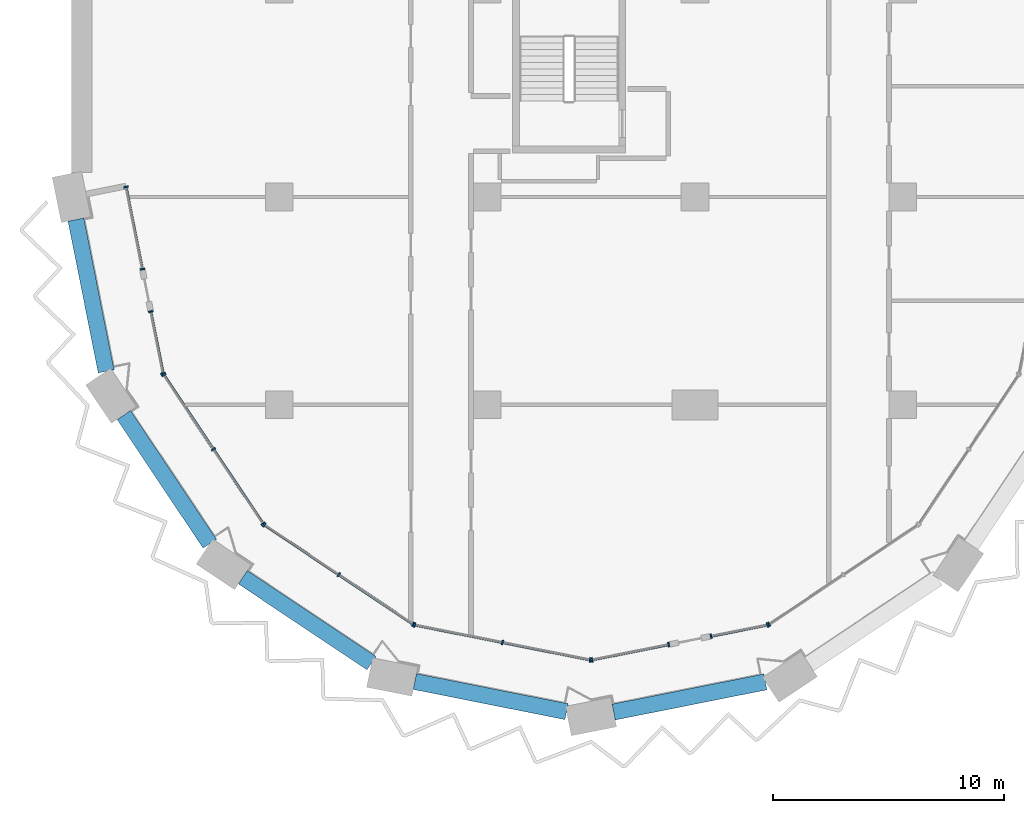
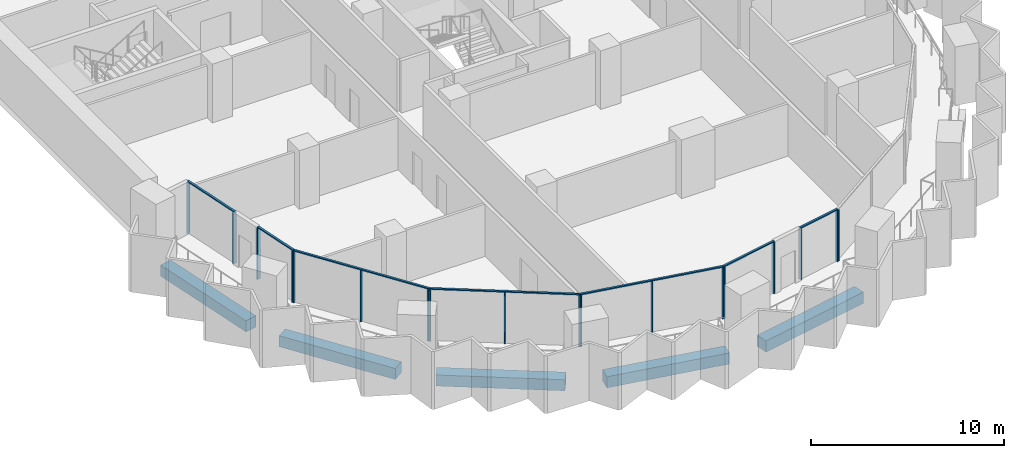
# One storey, part 2 of 22: 25 members, 5 beams, 8 elements without a shape of their own.
"""IFC4 building model written with IfcOpenShell, lengths in metres."""

import ifcopenshell
import ifcopenshell.guid

model = None  # the IFC model being written
_history = None  # IfcOwnerHistory: only IFC2X3 demands one
_inside = {}  # id of a spatial element -> (the spatial element, [elements in it])
_under = {}  # id of a project, library or spatial element -> (it, [spatial elements below it])
_declared = {}  # id of a project -> (the project, [libraries it declares])
_typed = {}  # id of a type object -> (the type object, [elements of that type])
_made_of = {}  # id of a material, layer set ... -> (it, [elements and type objects made of it])


def new_model(schema):
    """Start an empty IFC model of exactly this schema.

    Asked for "IFC4X3", IfcOpenShell would pick the latest addendum, in which some entities
    have other attributes; the version numbers below select the first issue.
    IFC2X3 requires an IfcOwnerHistory on every rooted entity: one is made here for all.
    """
    global model, _history
    if schema == "IFC4X3":
        model = ifcopenshell.file(schema_version=(4, 3, 0, 0))
    else:
        model = ifcopenshell.file(schema=schema)
    _inside.clear()
    _under.clear()
    _declared.clear()
    _typed.clear()
    _made_of.clear()
    _history = None
    if model.schema == "IFC2X3":
        org = make("IfcOrganization", Name="unknown")
        user = make(
            "IfcPersonAndOrganization",
            ThePerson=make("IfcPerson", FamilyName="unknown"),
            TheOrganization=org,
        )
        app = make(
            "IfcApplication",
            ApplicationDeveloper=org,
            Version="unknown",
            ApplicationFullName="unknown",
            ApplicationIdentifier="unknown",
        )
        _history = make(
            "IfcOwnerHistory",
            OwningUser=user,
            OwningApplication=app,
            ChangeAction="ADDED",
            CreationDate=0,
        )
    return model


def make(cls, **values):
    """One entity of the class cls with the attributes given. An attribute that is None is left unset."""
    return model.create_entity(
        cls, **{name: value for name, value in values.items() if value is not None}
    )


def rooted(cls, **values):
    """An entity with a GlobalId (a new one), such as an element, a storey or a relation."""
    return make(cls, GlobalId=ifcopenshell.guid.new(), OwnerHistory=_history, **values)


def si_unit(unit_type, name, prefix=None):
    """IfcSIUnit, for example si_unit("LENGTHUNIT", "METRE", prefix="MILLI")."""
    return make("IfcSIUnit", UnitType=unit_type, Prefix=prefix, Name=name)


def assignment(units):
    """IfcUnitAssignment: the units of a project."""
    return None if units is None else make("IfcUnitAssignment", Units=units)


def point(xyz):
    """IfcCartesianPoint."""
    return None if xyz is None else make("IfcCartesianPoint", Coordinates=xyz)


def direction(xyz):
    """IfcDirection."""
    return None if xyz is None else make("IfcDirection", DirectionRatios=xyz)


def frame(location, z_axis=None, x_axis=None):
    """IfcAxis2Placement3D, a coordinate frame: its origin and axes. An axis left out is left unset."""
    return make(
        "IfcAxis2Placement3D",
        Location=point(location),
        Axis=direction(z_axis),
        RefDirection=direction(x_axis),
    )


def frame_2d(location, x_axis=None):
    """IfcAxis2Placement2D, a coordinate frame in the plane: its origin and x axis."""
    return make(
        "IfcAxis2Placement2D", Location=point(location), RefDirection=direction(x_axis)
    )


def origin():
    """The frame at (0, 0, 0) with its axes left unset."""
    return frame((0.0, 0.0, 0.0))


def origin_2d():
    """The frame at (0, 0) in the plane with its x axis left unset."""
    return frame_2d((0.0, 0.0))


def place(relative_to, where):
    """IfcLocalPlacement: puts the frame where relative to a parent placement (None: the world)."""
    return make(
        "IfcLocalPlacement", PlacementRelTo=relative_to, RelativePlacement=where
    )


def context(
    kind, dimensions, precision=None, world=None, true_north=None, identifier=None
):
    """IfcGeometricRepresentationContext, for example the 3D "Model" context."""
    return make(
        "IfcGeometricRepresentationContext",
        ContextIdentifier=identifier,
        ContextType=kind,
        CoordinateSpaceDimension=dimensions,
        Precision=precision,
        WorldCoordinateSystem=world,
        TrueNorth=true_north,
    )


def subcontext(parent, identifier, kind, view, scale=None):
    """IfcGeometricRepresentationSubContext, for example "Body" below "Model"."""
    return make(
        "IfcGeometricRepresentationSubContext",
        ContextIdentifier=identifier,
        ContextType=kind,
        ParentContext=parent,
        TargetScale=scale,
        TargetView=view,
    )


def project(units=None, contexts=None):
    """IfcProject with its units and contexts."""
    return rooted(
        "IfcProject",
        Name="project",
        RepresentationContexts=contexts,
        UnitsInContext=assignment(units),
    )


def spatial(cls, under=None, at=None, **own):
    """A site, building, storey or space (cls), placed at a placement, below another one or the project."""
    s = rooted(cls, ObjectPlacement=at, **own)
    if under is not None:
        _under.setdefault(under.id(), (under, []))[1].append(s)
    return s


def profile(cls, at=None, kind="AREA", **sizes):
    """A parametric profile (cls). Its sizes go by their IFC names, for example OverallWidth=200.0."""
    return make(cls, ProfileType=kind, Position=at, **sizes)


def rectangle(**sizes):
    """IfcRectangleProfileDef."""
    return profile("IfcRectangleProfileDef", **sizes)


def extrude(swept, where, along, depth):
    """IfcExtrudedAreaSolid: the profile swept, set in the frame where, extruded along a direction by depth."""
    return make(
        "IfcExtrudedAreaSolid",
        SweptArea=swept,
        Position=where,
        ExtrudedDirection=direction(along),
        Depth=depth,
    )


def shape(context_of_items, identifier, shape_type, items):
    """IfcShapeRepresentation: the items that make up one representation, for example the "Body"."""
    return make(
        "IfcShapeRepresentation",
        ContextOfItems=context_of_items,
        RepresentationIdentifier=identifier,
        RepresentationType=shape_type,
        Items=items,
    )


def material(Name=None, Category=None):
    """IfcMaterial."""
    return make("IfcMaterial", Name=Name, Category=Category)


def material_profile(
    of_material, cross_section, Name=None, Category=None, Priority=None
):
    """IfcMaterialProfile: a cross section and its material."""
    return make(
        "IfcMaterialProfile",
        Name=Name,
        Material=of_material,
        Profile=cross_section,
        Priority=Priority,
        Category=Category,
    )


def profile_set(profiles, Name=None, composite=None):
    """IfcMaterialProfileSet."""
    return make(
        "IfcMaterialProfileSet",
        Name=Name,
        MaterialProfiles=profiles,
        CompositeProfile=composite,
    )


def made_of(thing, what):
    """Note that an element or type object is made of a material, layer set ...; save() writes the relation."""
    if what is not None:
        _made_of.setdefault(what.id(), (what, []))[1].append(thing)
    return thing


def type_object(cls, material=None, **own):
    """A type object (cls), such as IfcWallType, which elements share."""
    return made_of(rooted(cls, **own), material)


def element(
    cls,
    number,
    at=None,
    inside=None,
    cuts=None,
    type_object=None,
    material=None,
    context=None,
    identifier="Body",
    shape_type=None,
    held_by="IfcProductDefinitionShape",
    body=None,
    shapes=None,
    **own,
):
    """One element of the class cls, such as IfcWall. Its Tag is "e" and its number.

    at: its placement. inside: the storey or other place that contains it. cuts: it is an
    opening in that element (IfcRelVoidsElement). A single representation is given by context,
    identifier, shape_type and body (its items); several are given by shapes. held_by: the class
    of the entity that holds the representations. save() writes the other relations.
    """
    e = rooted(cls, Tag="e%d" % number, ObjectPlacement=at, **own)
    if body is not None:
        shapes = [shape(context, identifier, shape_type, body)]
    if shapes is not None:
        e.Representation = make(held_by, Representations=shapes)
    if inside is not None:
        _inside.setdefault(inside.id(), (inside, []))[1].append(e)
    if cuts is not None:
        rooted(
            "IfcRelVoidsElement", RelatingBuildingElement=cuts, RelatedOpeningElement=e
        )
    if type_object is not None:
        _typed.setdefault(type_object.id(), (type_object, []))[1].append(e)
    return made_of(e, material)


def aggregate(whole, parts):
    """IfcRelAggregates: a whole, such as a stair, and the parts it consists of."""
    return rooted("IfcRelAggregates", RelatingObject=whole, RelatedObjects=parts)


def save(model, path):
    """Write the relations noted so far, then the file.

    IfcRelAggregates (storeys below a building ...), IfcRelContainedInSpatialStructure (elements
    in a storey), IfcRelDefinesByType, IfcRelAssociatesMaterial and IfcRelDeclares: one each for
    every whole, place, type object, material and project.
    """
    for whole, parts in _under.values():
        aggregate(whole, parts)
    for where, things in _inside.values():
        rooted(
            "IfcRelContainedInSpatialStructure",
            RelatedElements=things,
            RelatingStructure=where,
        )
    for kind, things in _typed.values():
        rooted("IfcRelDefinesByType", RelatedObjects=things, RelatingType=kind)
    for what, things in _made_of.values():
        rooted("IfcRelAssociatesMaterial", RelatedObjects=things, RelatingMaterial=what)
    for by, libraries in _declared.values():
        rooted("IfcRelDeclares", RelatingContext=by, RelatedDefinitions=libraries)
    model.write(path)


model = new_model("IFC4")

# Units and contexts
model_context = context("Model", 3, precision=1e-05, world=origin(), true_north=direction((0.0, 1.0)))
body_context = subcontext(model_context, "Body", "Model", "MODEL_VIEW")
ifc_project = project(units=[si_unit("LENGTHUNIT", "METRE"), si_unit("AREAUNIT", "SQUARE_METRE"), si_unit("VOLUMEUNIT", "CUBIC_METRE"), si_unit("PLANEANGLEUNIT", "RADIAN"), si_unit("MASSUNIT", "GRAM", prefix="KILO")], contexts=[model_context])

# Site, building, storey
site_placement = place(None, origin())
site = spatial("IfcSite", under=ifc_project, at=site_placement, CompositionType="ELEMENT")
building_placement = place(site_placement, origin())
building = spatial("IfcBuilding", under=site, at=building_placement, Name="Hunhe Ridgeline Campus", CompositionType="ELEMENT")
storey_placement = place(building_placement, frame((0.0, 0.0, 137.5)))
storey = spatial("IfcBuildingStorey", under=building, at=storey_placement, Name="L34", CompositionType="ELEMENT", Elevation=137.5)

# Curtain wall, members
ifc_material_1 = material(Name="Aluminium 6063", Category="aluminium")
curtain_wall_type = type_object("IfcCurtainWallType", Name="Curtain wall CW-5", PredefinedType="NOTDEFINED", material=ifc_material_1)
curtain_wall_1_placement = place(storey_placement, origin())
curtain_wall_1 = element("IfcCurtainWall", 1, at=curtain_wall_1_placement, inside=storey, type_object=curtain_wall_type, Name="Curtain wall 01", PredefinedType="NOTDEFINED")
ifc_material_profile_1 = material_profile(ifc_material_1, rectangle(XDim=0.199951171875, YDim=0.070068359375, at=origin_2d()))
ifc_profile_set_1 = profile_set([ifc_material_profile_1], Name="Aluminium 6063")
member_type_1 = type_object("IfcMemberType", Name="CW-5 aluminium mullion", PredefinedType="MULLION", material=ifc_profile_set_1)
member_1_placement = place(storey_placement, frame((2.361572265625, 27.434326171875, 0.0), z_axis=(0.0, 0.0, 1.0), x_axis=(0.980784284924, 0.195095326561, 0.0)))
member_1 = element("IfcMember", 2, at=member_1_placement, type_object=member_type_1, Name="CW-5 mullion 1", PredefinedType="MULLION", context=body_context, shape_type="SweptSolid", body=[
    extrude(rectangle(XDim=0.199951171875, YDim=0.070068359375, at=origin_2d()), origin(), (0.0, 0.0, 1.0), 3.22998046875),
])
member_2_placement = place(storey_placement, frame((3.070068359375, 23.873291015625, 0.0), z_axis=(0.0, 0.0, 1.0), x_axis=(0.980784284924, 0.195095326561, 0.0)))
member_2 = element("IfcMember", 3, at=member_2_placement, type_object=member_type_1, Name="CW-5 mullion 2", PredefinedType="MULLION", context=body_context, shape_type="SweptSolid", body=[
    extrude(rectangle(XDim=0.199951171875, YDim=0.070068359375, at=origin_2d()), origin(), (0.0, 0.0, 1.0), 3.22998046875),
])

curtain_wall_2_placement = place(storey_placement, origin())
curtain_wall_2 = element("IfcCurtainWall", 4, at=curtain_wall_2_placement, inside=storey, type_object=curtain_wall_type, Name="Curtain wall 02", PredefinedType="NOTDEFINED")
member_3_placement = place(storey_placement, frame((3.434814453125, 22.0390625, 0.0), z_axis=(0.0, 0.0, 1.0), x_axis=(0.980784297053, 0.195095265587, 0.0)))
member_3 = element("IfcMember", 5, at=member_3_placement, type_object=member_type_1, Name="CW-5 mullion 1", PredefinedType="MULLION", context=body_context, shape_type="SweptSolid", body=[
    extrude(rectangle(XDim=0.199951171875, YDim=0.070068359375, at=origin_2d()), origin(), (0.0, 0.0, 1.0), 3.22998046875),
])
member_4_placement = place(storey_placement, frame((3.967529296875, 19.36083984375, 0.0), z_axis=(0.0, 0.0, 1.0), x_axis=(0.980784297053, 0.195095265587, 0.0)))
member_4 = element("IfcMember", 6, at=member_4_placement, type_object=member_type_1, Name="CW-5 mullion 2", PredefinedType="MULLION", context=body_context, shape_type="SweptSolid", body=[
    extrude(rectangle(XDim=0.199951171875, YDim=0.070068359375, at=origin_2d()), origin(), (0.0, 0.0, 1.0), 3.22998046875),
])

curtain_wall_3_placement = place(storey_placement, origin())
curtain_wall_3 = element("IfcCurtainWall", 7, at=curtain_wall_3_placement, inside=storey, type_object=curtain_wall_type, Name="Curtain wall 03", PredefinedType="NOTDEFINED")
member_5_placement = place(storey_placement, frame((3.993896484375, 19.29736328125, 0.0), z_axis=(0.0, 0.0, 1.0), x_axis=(0.831469584522, 0.555570274596, 0.0)))
member_5 = element("IfcMember", 8, at=member_5_placement, type_object=member_type_1, Name="CW-5 mullion 1", PredefinedType="MULLION", context=body_context, shape_type="SweptSolid", body=[
    extrude(rectangle(XDim=0.199951171875, YDim=0.070068359375, at=origin_2d()), origin(), (0.0, 0.0, 1.0), 3.22998046875),
])
member_6_placement = place(storey_placement, frame((6.147705078125, 16.07373046875, 0.0), z_axis=(0.0, 0.0, 1.0), x_axis=(0.831469584522, 0.555570274596, 0.0)))
member_6 = element("IfcMember", 9, at=member_6_placement, type_object=member_type_1, Name="CW-5 mullion 2", PredefinedType="MULLION", context=body_context, shape_type="SweptSolid", body=[
    extrude(rectangle(XDim=0.199951171875, YDim=0.070068359375, at=origin_2d()), origin(), (0.0, 0.0, 1.0), 3.22998046875),
])
member_7_placement = place(storey_placement, frame((8.3017578125, 12.850341796875, 0.0), z_axis=(0.0, 0.0, 1.0), x_axis=(0.831469584522, 0.555570274596, 0.0)))
member_7 = element("IfcMember", 10, at=member_7_placement, type_object=member_type_1, Name="CW-5 mullion 3", PredefinedType="MULLION", context=body_context, shape_type="SweptSolid", body=[
    extrude(rectangle(XDim=0.199951171875, YDim=0.070068359375, at=origin_2d()), origin(), (0.0, 0.0, 1.0), 3.22998046875),
])

curtain_wall_4_placement = place(storey_placement, origin())
curtain_wall_4 = element("IfcCurtainWall", 11, at=curtain_wall_4_placement, inside=storey, type_object=curtain_wall_type, Name="Curtain wall 04", PredefinedType="NOTDEFINED")
member_8_placement = place(storey_placement, frame((8.350341796875, 12.8017578125, 0.0), z_axis=(0.0, 0.0, 1.0), x_axis=(0.555570274596, 0.831469584522, 0.0)))
member_8 = element("IfcMember", 12, at=member_8_placement, type_object=member_type_1, Name="CW-5 mullion 1", PredefinedType="MULLION", context=body_context, shape_type="SweptSolid", body=[
    extrude(rectangle(XDim=0.199951171875, YDim=0.070068359375, at=origin_2d()), origin(), (0.0, 0.0, 1.0), 3.22998046875),
])
member_9_placement = place(storey_placement, frame((11.57373046875, 10.647705078125, 0.0), z_axis=(0.0, 0.0, 1.0), x_axis=(0.555570274596, 0.831469584522, 0.0)))
member_9 = element("IfcMember", 13, at=member_9_placement, type_object=member_type_1, Name="CW-5 mullion 2", PredefinedType="MULLION", context=body_context, shape_type="SweptSolid", body=[
    extrude(rectangle(XDim=0.199951171875, YDim=0.070068359375, at=origin_2d()), origin(), (0.0, 0.0, 1.0), 3.22998046875),
])
member_10_placement = place(storey_placement, frame((14.79736328125, 8.493896484375, 0.0), z_axis=(0.0, 0.0, 1.0), x_axis=(0.555570274596, 0.831469584522, 0.0)))
member_10 = element("IfcMember", 14, at=member_10_placement, type_object=member_type_1, Name="CW-5 mullion 3", PredefinedType="MULLION", context=body_context, shape_type="SweptSolid", body=[
    extrude(rectangle(XDim=0.199951171875, YDim=0.070068359375, at=origin_2d()), origin(), (0.0, 0.0, 1.0), 3.22998046875),
])

curtain_wall_5_placement = place(storey_placement, origin())
curtain_wall_5 = element("IfcCurtainWall", 15, at=curtain_wall_5_placement, inside=storey, type_object=curtain_wall_type, Name="Curtain wall 05", PredefinedType="NOTDEFINED")
member_11_placement = place(storey_placement, frame((14.86083984375, 8.467529296875, 0.0), z_axis=(0.0, 0.0, 1.0), x_axis=(0.195090347539, 0.980785275326, 0.0)))
member_11 = element("IfcMember", 16, at=member_11_placement, type_object=member_type_1, Name="CW-5 mullion 1", PredefinedType="MULLION", context=body_context, shape_type="SweptSolid", body=[
    extrude(rectangle(XDim=0.199951171875, YDim=0.070068359375, at=origin_2d()), origin(), (0.0, 0.0, 1.0), 3.22998046875),
])
member_12_placement = place(storey_placement, frame((18.663330078125, 7.711181640625, 0.0), z_axis=(0.0, 0.0, 1.0), x_axis=(0.195090347539, 0.980785275326, 0.0)))
member_12 = element("IfcMember", 17, at=member_12_placement, type_object=member_type_1, Name="CW-5 mullion 2", PredefinedType="MULLION", context=body_context, shape_type="SweptSolid", body=[
    extrude(rectangle(XDim=0.199951171875, YDim=0.070068359375, at=origin_2d()), origin(), (0.0, 0.0, 1.0), 3.22998046875),
])
member_13_placement = place(storey_placement, frame((22.465576171875, 6.954833984375, 0.0), z_axis=(0.0, 0.0, 1.0), x_axis=(0.195090347539, 0.980785275326, 0.0)))
member_13 = element("IfcMember", 18, at=member_13_placement, type_object=member_type_1, Name="CW-5 mullion 3", PredefinedType="MULLION", context=body_context, shape_type="SweptSolid", body=[
    extrude(rectangle(XDim=0.199951171875, YDim=0.070068359375, at=origin_2d()), origin(), (0.0, 0.0, 1.0), 3.22998046875),
])

curtain_wall_6_placement = place(storey_placement, origin())
curtain_wall_6 = element("IfcCurtainWall", 19, at=curtain_wall_6_placement, inside=storey, type_object=curtain_wall_type, Name="Curtain wall 06", PredefinedType="NOTDEFINED")
member_14_placement = place(storey_placement, frame((22.534423828125, 6.954833984375, 0.0), z_axis=(0.0, 0.0, 1.0), x_axis=(-0.19509037034, 0.980785270791, 0.0)))
member_14 = element("IfcMember", 20, at=member_14_placement, type_object=member_type_1, Name="CW-5 mullion 1", PredefinedType="MULLION", context=body_context, shape_type="SweptSolid", body=[
    extrude(rectangle(XDim=0.199951171875, YDim=0.070068359375, at=origin_2d()), origin(), (0.0, 0.0, 1.0), 3.22998046875),
])
member_15_placement = place(storey_placement, frame((25.861083984375, 7.61669921875, 0.0), z_axis=(0.0, 0.0, 1.0), x_axis=(-0.19509037034, 0.980785270791, 0.0)))
member_15 = element("IfcMember", 21, at=member_15_placement, type_object=member_type_1, Name="CW-5 mullion 2", PredefinedType="MULLION", context=body_context, shape_type="SweptSolid", body=[
    extrude(rectangle(XDim=0.199951171875, YDim=0.070068359375, at=origin_2d()), origin(), (0.0, 0.0, 1.0), 3.22998046875),
])

curtain_wall_7_placement = place(storey_placement, origin())
curtain_wall_7 = element("IfcCurtainWall", 22, at=curtain_wall_7_placement, inside=storey, type_object=curtain_wall_type, Name="Curtain wall 07", PredefinedType="NOTDEFINED")
member_16_placement = place(storey_placement, frame((27.695068359375, 7.9814453125, 0.0), z_axis=(0.0, 0.0, 1.0), x_axis=(-0.195090514627, 0.980785242091, 0.0)))
member_16 = element("IfcMember", 23, at=member_16_placement, type_object=member_type_1, Name="CW-5 mullion 1", PredefinedType="MULLION", context=body_context, shape_type="SweptSolid", body=[
    extrude(rectangle(XDim=0.199951171875, YDim=0.070068359375, at=origin_2d()), origin(), (0.0, 0.0, 1.0), 3.22998046875),
])
member_17_placement = place(storey_placement, frame((30.13916015625, 8.467529296875, 0.0), z_axis=(0.0, 0.0, 1.0), x_axis=(-0.195090514627, 0.980785242091, 0.0)))
member_17 = element("IfcMember", 24, at=member_17_placement, type_object=member_type_1, Name="CW-5 mullion 2", PredefinedType="MULLION", context=body_context, shape_type="SweptSolid", body=[
    extrude(rectangle(XDim=0.199951171875, YDim=0.070068359375, at=origin_2d()), origin(), (0.0, 0.0, 1.0), 3.22998046875),
])

# Curtain wall, member
curtain_wall_8_placement = place(storey_placement, origin())
curtain_wall_8 = element("IfcCurtainWall", 25, at=curtain_wall_8_placement, inside=storey, type_object=curtain_wall_type, Name="Curtain wall 08", PredefinedType="NOTDEFINED")
member_18_placement = place(storey_placement, frame((30.20263671875, 8.493896484375, 0.0), z_axis=(0.0, 0.0, 1.0), x_axis=(-0.555570274596, 0.831469584522, 0.0)))
member_18 = element("IfcMember", 26, at=member_18_placement, type_object=member_type_1, Name="CW-5 mullion 1", PredefinedType="MULLION", context=body_context, shape_type="SweptSolid", body=[
    extrude(rectangle(XDim=0.199951171875, YDim=0.070068359375, at=origin_2d()), origin(), (0.0, 0.0, 1.0), 3.22998046875),
])
aggregate(curtain_wall_8, [member_18])

# Member
ifc_material_profile_2 = material_profile(ifc_material_1, rectangle(XDim=0.1201171875, YDim=0.070068359375, at=origin_2d()))
ifc_profile_set_2 = profile_set([ifc_material_profile_2], Name="Aluminium 6063")
member_type_2 = type_object("IfcMemberType", Name="CW-5 aluminium transom", PredefinedType="USERDEFINED", material=ifc_profile_set_2)
member_19_placement = place(storey_placement, frame((2.354736328125, 27.46875, 3.264892578125), z_axis=(0.195126549745, -0.980778073564, 0.0), x_axis=(0.980778073564, 0.195126549745, 0.0)))
member_19 = element("IfcMember", 27, at=member_19_placement, type_object=member_type_2, Name="CW-5 transom 1", ObjectType="TRANSOM", PredefinedType="USERDEFINED", context=body_context, shape_type="SweptSolid", body=[
    extrude(rectangle(XDim=0.1201171875, YDim=0.070068359375, at=origin_2d()), origin(), (0.0, 0.0, 1.0), 3.700927734375),
])

aggregate(curtain_wall_1, [member_19, member_1, member_2])

member_20_placement = place(storey_placement, frame((3.427978515625, 22.073486328125, 3.264892578125), z_axis=(0.195076742145, -0.98078798151, 0.0), x_axis=(0.98078798151, 0.195076742145, 0.0)))
member_20 = element("IfcMember", 28, at=member_20_placement, type_object=member_type_2, Name="CW-5 transom 1", ObjectType="TRANSOM", PredefinedType="USERDEFINED", context=body_context, shape_type="SweptSolid", body=[
    extrude(rectangle(XDim=0.1201171875, YDim=0.070068359375, at=origin_2d()), origin(), (0.0, 0.0, 1.0), 2.80078125),
])

aggregate(curtain_wall_2, [member_20, member_3, member_4])

member_21_placement = place(storey_placement, frame((3.974365234375, 19.326416015625, 3.264892578125), z_axis=(0.5555640203, -0.831473763475, 0.0), x_axis=(0.831473763475, 0.5555640203, 0.0)))
member_21 = element("IfcMember", 29, at=member_21_placement, type_object=member_type_2, Name="CW-5 transom 1", ObjectType="TRANSOM", PredefinedType="USERDEFINED", context=body_context, shape_type="SweptSolid", body=[
    extrude(rectangle(XDim=0.1201171875, YDim=0.070068359375, at=origin_2d()), origin(), (0.0, 0.0, 1.0), 7.823974609375),
])

aggregate(curtain_wall_3, [member_21, member_5, member_6, member_7])

member_22_placement = place(storey_placement, frame((8.321044921875, 12.821044921875, 3.264892578125), z_axis=(0.831473763475, -0.5555640203, 0.0), x_axis=(0.5555640203, 0.831473763475, 0.0)))
member_22 = element("IfcMember", 30, at=member_22_placement, type_object=member_type_2, Name="CW-5 transom 1", ObjectType="TRANSOM", PredefinedType="USERDEFINED", context=body_context, shape_type="SweptSolid", body=[
    extrude(rectangle(XDim=0.1201171875, YDim=0.070068359375, at=origin_2d()), origin(), (0.0, 0.0, 1.0), 7.823974609375),
])

aggregate(curtain_wall_4, [member_22, member_8, member_9, member_10])

member_23_placement = place(storey_placement, frame((14.826416015625, 8.474365234375, 3.264892578125), z_axis=(0.980785367689, -0.195089883198, 0.0), x_axis=(0.195089883198, 0.980785367689, 0.0)))
member_23 = element("IfcMember", 31, at=member_23_placement, type_object=member_type_2, Name="CW-5 transom 1", ObjectType="TRANSOM", PredefinedType="USERDEFINED", context=body_context, shape_type="SweptSolid", body=[
    extrude(rectangle(XDim=0.1201171875, YDim=0.070068359375, at=origin_2d()), origin(), (0.0, 0.0, 1.0), 7.823974609375),
])

aggregate(curtain_wall_5, [member_23, member_11, member_12, member_13])

member_24_placement = place(storey_placement, frame((22.5, 6.947998046875, 3.264892578125), z_axis=(0.980778171596, 0.195126057004, 0.0), x_axis=(-0.195126057004, 0.980778171596, 0.0)))
member_24 = element("IfcMember", 32, at=member_24_placement, type_object=member_type_2, Name="CW-5 transom 1", ObjectType="TRANSOM", PredefinedType="USERDEFINED", context=body_context, shape_type="SweptSolid", body=[
    extrude(rectangle(XDim=0.1201171875, YDim=0.070068359375, at=origin_2d()), origin(), (0.0, 0.0, 1.0), 3.462158203125),
])

aggregate(curtain_wall_6, [member_24, member_14, member_15])

member_25_placement = place(storey_placement, frame((27.660888671875, 7.974609375, 3.264892578125), z_axis=(0.980789038007, 0.195071430315, 0.0), x_axis=(-0.195071430315, 0.980789038007, 0.0)))
member_25 = element("IfcMember", 33, at=member_25_placement, type_object=member_type_2, Name="CW-5 transom 1", ObjectType="TRANSOM", PredefinedType="USERDEFINED", context=body_context, shape_type="SweptSolid", body=[
    extrude(rectangle(XDim=0.1201171875, YDim=0.070068359375, at=origin_2d()), origin(), (0.0, 0.0, 1.0), 2.56201171875),
])

aggregate(curtain_wall_7, [member_25, member_16, member_17])

# Beams
ifc_material_2 = material(Name="Concrete C60", Category="concrete")
ifc_material_profile_3 = material_profile(ifc_material_2, rectangle(XDim=0.699951171875, YDim=0.699951171875, at=origin_2d()))
ifc_profile_set_3 = profile_set([ifc_material_profile_3], Name="Concrete C60")
beam_type = type_object("IfcBeamType", Name="RC spandrel beam 700x700 Concrete C60", PredefinedType="SPANDREL", material=ifc_profile_set_3)
for number, where, z_axis, x_axis, name in (
    (34, (0.195068359375, 26.019287109375, -0.60009765625), (0.195078418929, -0.980787647999, 0.0), (0.980787647999, 0.195078418929, 0.0), "Spandrel beam B2-1 L34"),
    (35, (2.268310546875, 17.55810546875, -0.60009765625), (0.555566447474, -0.831472141711, 0.0), (0.831472141711, 0.555566447474, 0.0), "Spandrel beam B2-2 L34"),
    (36, (7.421630859375, 10.534423828125, -0.60009765625), (0.831472141711, -0.555566447474, 0.0), (0.555566447474, 0.831472141711, 0.0), "Spandrel beam B2-3 L34"),
    (37, (14.870361328125, 6.017578125, -0.60009765625), (0.980787647999, -0.195078418929, 0.0), (0.195078418929, 0.980787647999, 0.0), "Spandrel beam B2-4 L34"),
    (38, (23.480712890625, 4.695068359375, -0.60009765625), (0.980787647999, 0.195078418929, 0.0), (-0.195078418929, 0.980787647999, 0.0), "Spandrel beam B2-5 L34"),
):
    element("IfcBeam", number, at=place(storey_placement, frame(where, z_axis=z_axis, x_axis=x_axis)), inside=storey, type_object=beam_type, Name=name, PredefinedType="SPANDREL", context=body_context, shape_type="SweptSolid", body=[
        extrude(rectangle(XDim=0.699951171875, YDim=0.699951171875, at=origin_2d()), origin(), (0.0, 0.0, 1.0), 6.69677734375),
    ])

save(model, "model.ifc")
